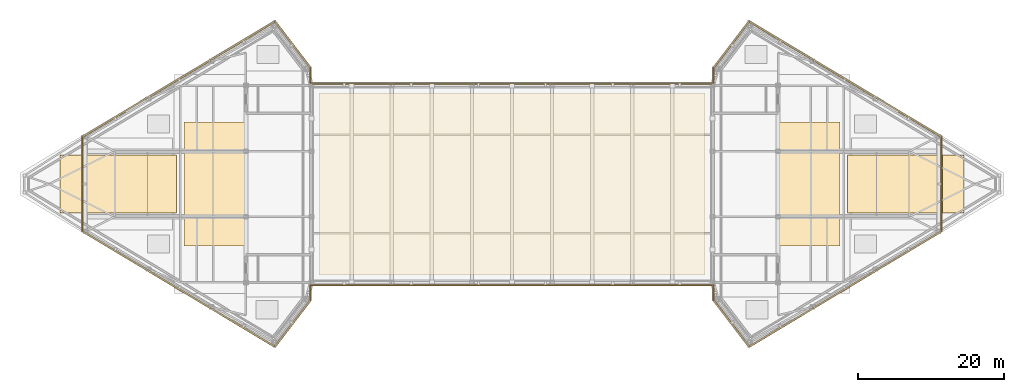
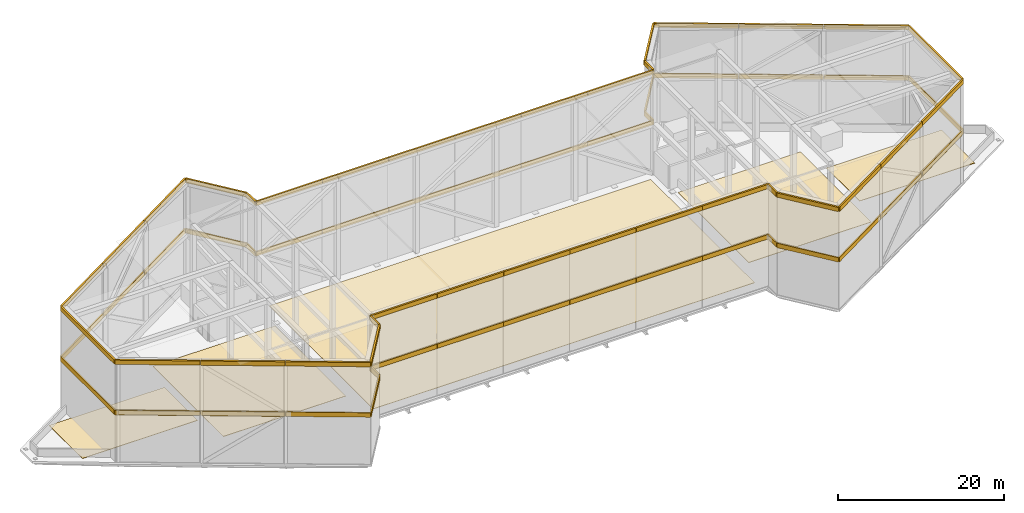
# One storey, part 15 of 16: 68 shading devices, 5 coverings.
"""IFC4 building model written with IfcOpenShell, lengths in metres."""

from ifc_helpers import new_model, si_unit, direction, frame, origin, origin_2d, place, context, subcontext, project, spatial, polyline, rectangle, outline, extrude, source, transform, mapped, material, layer, layer_set, type_object, type_shapes, element, save


model = new_model("IFC4")

# Units and contexts
model_context = context("Model", 3, precision=1e-05, world=origin(), true_north=direction((0.0, 1.0)))
body_context = subcontext(model_context, "Body", "Model", "MODEL_VIEW")
ifc_project = project(units=[si_unit("LENGTHUNIT", "METRE"), si_unit("AREAUNIT", "SQUARE_METRE"), si_unit("VOLUMEUNIT", "CUBIC_METRE"), si_unit("PLANEANGLEUNIT", "RADIAN"), si_unit("MASSUNIT", "GRAM", prefix="KILO")], contexts=[model_context])

# Site, building, storey
site_placement = place(None, origin())
site = spatial("IfcSite", under=ifc_project, at=site_placement, CompositionType="ELEMENT")
building_placement = place(site_placement, origin())
building = spatial("IfcBuilding", under=site, at=building_placement, Name="Seokmaru Belvedere", CompositionType="ELEMENT")
storey_placement = place(building_placement, frame((0.0, 0.0, 279.0)))
storey = spatial("IfcBuildingStorey", under=building, at=storey_placement, Name="RF", CompositionType="ELEMENT", Elevation=279.0)

# Coverings
ifc_material_1 = material(Name="Insulated Elastomeric Roof Membrane")
ifc_layer_1 = layer(ifc_material_1, 0.06005859375)
ifc_layer_set_1 = layer_set([ifc_layer_1], Name="Insulated Elastomeric Roof Membrane")
covering_type = type_object("IfcCoveringType", Name="Inverted Insulated Elastomeric Roof Membrane 60", PredefinedType="ROOFING", material=ifc_layer_set_1)
covering_1_placement = place(storey_placement, origin())
element("IfcCovering", 1, at=covering_1_placement, inside=storey, type_object=covering_type, Name="RF Inverted Roof Membrane Zone 1", PredefinedType="ROOFING", context=body_context, shape_type="SweptSolid", body=[
    extrude(outline(polyline([(-45.0, -8.5), (-28.0, -8.5), (-28.0, 8.5), (-45.0, 8.5), (-45.0, -8.5)])), origin(), (0.0, 0.0, 1.0), 0.06005859375),
])
covering_2_placement = place(storey_placement, origin())
element("IfcCovering", 2, at=covering_2_placement, inside=storey, type_object=covering_type, Name="RF Inverted Roof Membrane Zone 2", PredefinedType="ROOFING", context=body_context, shape_type="SweptSolid", body=[
    extrude(outline(polyline([(-26.5, -12.5), (26.5, -12.5), (26.5, 12.5), (-26.5, 12.5), (-26.5, -12.5)])), origin(), (0.0, 0.0, 1.0), 0.06005859375),
])
covering_3_placement = place(storey_placement, origin())
element("IfcCovering", 3, at=covering_3_placement, inside=storey, type_object=covering_type, Name="RF Inverted Roof Membrane Zone 3", PredefinedType="ROOFING", context=body_context, shape_type="SweptSolid", body=[
    extrude(outline(polyline([(28.0, -8.5), (45.0, -8.5), (45.0, 8.5), (28.0, 8.5), (28.0, -8.5)])), origin(), (0.0, 0.0, 1.0), 0.06005859375),
])
covering_4_placement = place(storey_placement, origin())
element("IfcCovering", 4, at=covering_4_placement, inside=storey, type_object=covering_type, Name="RF Inverted Roof Membrane Zone 4", PredefinedType="ROOFING", context=body_context, shape_type="SweptSolid", body=[
    extrude(outline(polyline([(-62.0, -4.0), (-46.0, -4.0), (-46.0, 4.0), (-62.0, 4.0), (-62.0, -4.0)])), origin(), (0.0, 0.0, 1.0), 0.06005859375),
])
covering_5_placement = place(storey_placement, origin())
element("IfcCovering", 5, at=covering_5_placement, inside=storey, type_object=covering_type, Name="RF Inverted Roof Membrane Zone 5", PredefinedType="ROOFING", context=body_context, shape_type="SweptSolid", body=[
    extrude(outline(polyline([(46.0, -4.0), (62.0, -4.0), (62.0, 4.0), (46.0, 4.0), (46.0, -4.0)])), origin(), (0.0, 0.0, 1.0), 0.06005859375),
])

# Shading devices
ifc_material_2 = material(Name="Anodised Bronze Aluminium", Category="aluminium")
ifc_layer_2 = layer(ifc_material_2, 0.199951171875)
ifc_layer_set_2 = layer_set([ifc_layer_2], Name="Anodised Bronze Aluminium")
shading_device_type = type_object("IfcShadingDeviceType", Name="Bronze Anodised Crown Louvre Screen Band", PredefinedType="USERDEFINED", material=ifc_layer_set_2)
shared_shape_1 = source(origin(), body_context, "Body", "SweptSolid", [
    extrude(rectangle(XDim=9.17333984375, YDim=0.199951171875, at=origin_2d()), origin(), (0.0, 0.0, 1.0), 0.64990234375),
])
for number, where, z_axis, x_axis, name in (
    (6, (-23.033203125, -13.820068359375, 6.9599609375), (0.0, 0.0, 1.0), (1.0, 0.0, 0.0), "RF Bronze Crown Acoustic Louvre Mid 01"),
    (7, (-13.820068359375, -13.820068359375, 6.9599609375), (0.0, 0.0, 1.0), (1.0, 0.0, 0.0), "RF Bronze Crown Acoustic Louvre Mid 02"),
    (8, (-4.606689453125, -13.820068359375, 6.9599609375), (0.0, 0.0, 1.0), (1.0, 0.0, 0.0), "RF Bronze Crown Acoustic Louvre Mid 03"),
    (9, (4.606689453125, -13.820068359375, 6.9599609375), (0.0, 0.0, 1.0), (1.0, 0.0, 0.0), "RF Bronze Crown Acoustic Louvre Mid 04"),
    (10, (13.820068359375, -13.820068359375, 6.9599609375), (0.0, 0.0, 1.0), (1.0, 0.0, 0.0), "RF Bronze Crown Acoustic Louvre Mid 05"),
    (11, (23.033203125, -13.820068359375, 6.9599609375), (0.0, 0.0, 1.0), (1.0, 0.0, 0.0), "RF Bronze Crown Acoustic Louvre Mid 06"),
    (12, (23.033203125, 13.820068359375, 6.9599609375), (0.0, 0.0, 1.0), (-1.0, 0.0, 0.0), "RF Bronze Crown Acoustic Louvre Mid 18"),
    (13, (13.820068359375, 13.820068359375, 6.9599609375), (0.0, 0.0, 1.0), (-1.0, 0.0, 0.0), "RF Bronze Crown Acoustic Louvre Mid 19"),
    (14, (4.606689453125, 13.820068359375, 6.9599609375), (0.0, 0.0, 1.0), (-1.0, 0.0, 0.0), "RF Bronze Crown Acoustic Louvre Mid 20"),
    (15, (-4.606689453125, 13.820068359375, 6.9599609375), (0.0, 0.0, 1.0), (-1.0, 0.0, 0.0), "RF Bronze Crown Acoustic Louvre Mid 21"),
    (16, (-13.820068359375, 13.820068359375, 6.9599609375), (0.0, 0.0, 1.0), (-1.0, 0.0, 0.0), "RF Bronze Crown Acoustic Louvre Mid 22"),
    (17, (-23.033203125, 13.820068359375, 6.9599609375), (0.0, 0.0, 1.0), (-1.0, 0.0, 0.0), "RF Bronze Crown Acoustic Louvre Mid 23"),
):
    element("IfcShadingDevice", number, at=place(storey_placement, frame(where, z_axis=z_axis, x_axis=x_axis)), inside=storey, type_object=shading_device_type, Name=name, ObjectType="LOUVRE", PredefinedType="USERDEFINED", context=body_context, shape_type="MappedRepresentation", body=[
        mapped(shared_shape_1, transform((0.0, 0.0, 0.0), scale=1.0)),
    ])
shared_shape_2 = source(origin(), body_context, "Body", "SweptSolid", [
    extrude(rectangle(XDim=9.17333984375, YDim=0.239990234375, at=origin_2d()), origin(), (0.0, 0.0, 1.0), 0.6201171875),
])
for number, where, z_axis, x_axis, name in (
    (18, (-23.033203125, -13.820068359375, 14.3798828125), (0.0, 0.0, 1.0), (1.0, 0.0, 0.0), "RF Bronze Crown Solid Top Cap Band 01"),
    (19, (-13.820068359375, -13.820068359375, 14.3798828125), (0.0, 0.0, 1.0), (1.0, 0.0, 0.0), "RF Bronze Crown Solid Top Cap Band 02"),
    (20, (-4.606689453125, -13.820068359375, 14.3798828125), (0.0, 0.0, 1.0), (1.0, 0.0, 0.0), "RF Bronze Crown Solid Top Cap Band 03"),
    (21, (4.606689453125, -13.820068359375, 14.3798828125), (0.0, 0.0, 1.0), (1.0, 0.0, 0.0), "RF Bronze Crown Solid Top Cap Band 04"),
    (22, (13.820068359375, -13.820068359375, 14.3798828125), (0.0, 0.0, 1.0), (1.0, 0.0, 0.0), "RF Bronze Crown Solid Top Cap Band 05"),
    (23, (23.033203125, -13.820068359375, 14.3798828125), (0.0, 0.0, 1.0), (1.0, 0.0, 0.0), "RF Bronze Crown Solid Top Cap Band 06"),
    (24, (23.033203125, 13.820068359375, 14.3798828125), (0.0, 0.0, 1.0), (-1.0, 0.0, 0.0), "RF Bronze Crown Solid Top Cap Band 18"),
    (25, (13.820068359375, 13.820068359375, 14.3798828125), (0.0, 0.0, 1.0), (-1.0, 0.0, 0.0), "RF Bronze Crown Solid Top Cap Band 19"),
    (26, (4.606689453125, 13.820068359375, 14.3798828125), (0.0, 0.0, 1.0), (-1.0, 0.0, 0.0), "RF Bronze Crown Solid Top Cap Band 20"),
    (27, (-4.606689453125, 13.820068359375, 14.3798828125), (0.0, 0.0, 1.0), (-1.0, 0.0, 0.0), "RF Bronze Crown Solid Top Cap Band 21"),
    (28, (-13.820068359375, 13.820068359375, 14.3798828125), (0.0, 0.0, 1.0), (-1.0, 0.0, 0.0), "RF Bronze Crown Solid Top Cap Band 22"),
    (29, (-23.033203125, 13.820068359375, 14.3798828125), (0.0, 0.0, 1.0), (-1.0, 0.0, 0.0), "RF Bronze Crown Solid Top Cap Band 23"),
):
    element("IfcShadingDevice", number, at=place(storey_placement, frame(where, z_axis=z_axis, x_axis=x_axis)), inside=storey, type_object=shading_device_type, Name=name, ObjectType="LOUVRE", PredefinedType="USERDEFINED", context=body_context, shape_type="MappedRepresentation", body=[
        mapped(shared_shape_2, transform((0.0, 0.0, 0.0), scale=1.0)),
    ])
shared_shape_3 = source(origin(), body_context, "Body", "SweptSolid", [
    extrude(rectangle(XDim=2.09228515625, YDim=0.199951171875, at=origin_2d()), origin(), (0.0, 0.0, 1.0), 0.64990234375),
])
for number, where, z_axis, x_axis, name in (
    (30, (27.639892578125, -14.88623046875, 6.9599609375), (0.0, 0.0, 1.0), (0.0, -1.0, 0.0), "RF Bronze Crown Acoustic Louvre Mid 07"),
    (31, (27.639892578125, 14.88623046875, 6.9599609375), (0.0, 0.0, 1.0), (0.0, -1.0, 0.0), "RF Bronze Crown Acoustic Louvre Mid 17"),
    (32, (-27.639892578125, 14.88623046875, 6.9599609375), (0.0, 0.0, 1.0), (0.0, 1.0, 0.0), "RF Bronze Crown Acoustic Louvre Mid 24"),
    (33, (-27.639892578125, -14.88623046875, 6.9599609375), (0.0, 0.0, 1.0), (0.0, 1.0, 0.0), "RF Bronze Crown Acoustic Louvre Mid 34"),
):
    element("IfcShadingDevice", number, at=place(storey_placement, frame(where, z_axis=z_axis, x_axis=x_axis)), inside=storey, type_object=shading_device_type, Name=name, ObjectType="LOUVRE", PredefinedType="USERDEFINED", context=body_context, shape_type="MappedRepresentation", body=[
        mapped(shared_shape_3, transform((0.0, 0.0, 0.0), scale=1.0)),
    ])
shared_shape_4 = source(origin(), body_context, "Body", "SweptSolid", [
    extrude(rectangle(XDim=2.09228515625, YDim=0.239990234375, at=origin_2d()), origin(), (0.0, 0.0, 1.0), 0.6201171875),
])
for number, where, z_axis, x_axis, name in (
    (34, (27.639892578125, -14.88623046875, 14.3798828125), (0.0, 0.0, 1.0), (0.0, -1.0, 0.0), "RF Bronze Crown Solid Top Cap Band 07"),
    (35, (27.639892578125, 14.88623046875, 14.3798828125), (0.0, 0.0, 1.0), (0.0, -1.0, 0.0), "RF Bronze Crown Solid Top Cap Band 17"),
    (36, (-27.639892578125, 14.88623046875, 14.3798828125), (0.0, 0.0, 1.0), (0.0, 1.0, 0.0), "RF Bronze Crown Solid Top Cap Band 24"),
    (37, (-27.639892578125, -14.88623046875, 14.3798828125), (0.0, 0.0, 1.0), (0.0, 1.0, 0.0), "RF Bronze Crown Solid Top Cap Band 34"),
):
    element("IfcShadingDevice", number, at=place(storey_placement, frame(where, z_axis=z_axis, x_axis=x_axis)), inside=storey, type_object=shading_device_type, Name=name, ObjectType="LOUVRE", PredefinedType="USERDEFINED", context=body_context, shape_type="MappedRepresentation", body=[
        mapped(shared_shape_4, transform((0.0, 0.0, 0.0), scale=1.0)),
    ])
shared_shape_5 = source(origin(), body_context, "Body", "SweptSolid", [
    extrude(rectangle(XDim=7.98828125, YDim=0.199951171875, at=origin_2d()), origin(), (0.0, 0.0, 1.0), 0.64990234375),
])
for number, where, z_axis, x_axis, name in (
    (38, (30.08740234375, -19.134033203125, 6.9599609375), (0.0, 0.0, 1.0), (0.609709487731, -0.792624968425, 0.0), "RF Bronze Crown Acoustic Louvre Mid 08"),
    (39, (30.08740234375, 19.134033203125, 6.9599609375), (0.0, 0.0, 1.0), (-0.609709487731, -0.792624968425, 0.0), "RF Bronze Crown Acoustic Louvre Mid 16"),
    (40, (-30.08740234375, 19.134033203125, 6.9599609375), (0.0, 0.0, 1.0), (-0.609709487731, 0.792624968425, 0.0), "RF Bronze Crown Acoustic Louvre Mid 25"),
    (41, (-30.08740234375, -19.134033203125, 6.9599609375), (0.0, 0.0, 1.0), (0.609709487731, 0.792624968425, 0.0), "RF Bronze Crown Acoustic Louvre Mid 33"),
):
    element("IfcShadingDevice", number, at=place(storey_placement, frame(where, z_axis=z_axis, x_axis=x_axis)), inside=storey, type_object=shading_device_type, Name=name, ObjectType="LOUVRE", PredefinedType="USERDEFINED", context=body_context, shape_type="MappedRepresentation", body=[
        mapped(shared_shape_5, transform((0.0, 0.0, 0.0), scale=1.0)),
    ])
shared_shape_6 = source(origin(), body_context, "Body", "SweptSolid", [
    extrude(rectangle(XDim=7.98828125, YDim=0.239990234375, at=origin_2d()), origin(), (0.0, 0.0, 1.0), 0.6201171875),
])
for number, where, z_axis, x_axis, name in (
    (42, (30.08740234375, -19.134033203125, 14.3798828125), (0.0, 0.0, 1.0), (0.609709487731, -0.792624968425, 0.0), "RF Bronze Crown Solid Top Cap Band 08"),
    (43, (30.08740234375, 19.134033203125, 14.3798828125), (0.0, 0.0, 1.0), (-0.609709487731, -0.792624968425, 0.0), "RF Bronze Crown Solid Top Cap Band 16"),
    (44, (-30.08740234375, 19.134033203125, 14.3798828125), (0.0, 0.0, 1.0), (-0.609709487731, 0.792624968425, 0.0), "RF Bronze Crown Solid Top Cap Band 25"),
    (45, (-30.08740234375, -19.134033203125, 14.3798828125), (0.0, 0.0, 1.0), (0.609709487731, 0.792624968425, 0.0), "RF Bronze Crown Solid Top Cap Band 33"),
):
    element("IfcShadingDevice", number, at=place(storey_placement, frame(where, z_axis=z_axis, x_axis=x_axis)), inside=storey, type_object=shading_device_type, Name=name, ObjectType="LOUVRE", PredefinedType="USERDEFINED", context=body_context, shape_type="MappedRepresentation", body=[
        mapped(shared_shape_6, transform((0.0, 0.0, 0.0), scale=1.0)),
    ])
shared_shape_7 = source(origin(), body_context, "Body", "SweptSolid", [
    extrude(rectangle(XDim=10.212890625, YDim=0.199951171875, at=origin_2d()), origin(), (0.0, 0.0, 1.0), 0.64990234375),
])
for number, where, z_axis, x_axis, name in (
    (46, (36.930908203125, -19.67822265625, 6.9599609375), (0.0, 0.0, 1.0), (0.857492535386, 0.514496405972, 0.0), "RF Bronze Crown Acoustic Louvre Mid 09"),
    (47, (45.722412109375, -14.4033203125, 6.9599609375), (0.0, 0.0, 1.0), (0.857492535386, 0.514496405972, 0.0), "RF Bronze Crown Acoustic Louvre Mid 10"),
    (48, (54.51416015625, -9.128173828125, 6.9599609375), (0.0, 0.0, 1.0), (0.857492535386, 0.514496405972, 0.0), "RF Bronze Crown Acoustic Louvre Mid 11"),
    (49, (54.51416015625, 9.128173828125, 6.9599609375), (0.0, 0.0, 1.0), (-0.857492535386, 0.514496405972, 0.0), "RF Bronze Crown Acoustic Louvre Mid 13"),
    (50, (45.722412109375, 14.4033203125, 6.9599609375), (0.0, 0.0, 1.0), (-0.857492535386, 0.514496405972, 0.0), "RF Bronze Crown Acoustic Louvre Mid 14"),
    (51, (36.930908203125, 19.67822265625, 6.9599609375), (0.0, 0.0, 1.0), (-0.857492535386, 0.514496405972, 0.0), "RF Bronze Crown Acoustic Louvre Mid 15"),
    (52, (-36.930908203125, 19.67822265625, 6.9599609375), (0.0, 0.0, 1.0), (-0.857492535386, -0.514496405972, 0.0), "RF Bronze Crown Acoustic Louvre Mid 26"),
    (53, (-45.722412109375, 14.4033203125, 6.9599609375), (0.0, 0.0, 1.0), (-0.857492535386, -0.514496405972, 0.0), "RF Bronze Crown Acoustic Louvre Mid 27"),
    (54, (-54.51416015625, 9.128173828125, 6.9599609375), (0.0, 0.0, 1.0), (-0.857492535386, -0.514496405972, 0.0), "RF Bronze Crown Acoustic Louvre Mid 28"),
    (55, (-54.51416015625, -9.128173828125, 6.9599609375), (0.0, 0.0, 1.0), (0.857492535386, -0.514496405972, 0.0), "RF Bronze Crown Acoustic Louvre Mid 30"),
    (56, (-45.722412109375, -14.4033203125, 6.9599609375), (0.0, 0.0, 1.0), (0.857492535386, -0.514496405972, 0.0), "RF Bronze Crown Acoustic Louvre Mid 31"),
    (57, (-36.930908203125, -19.67822265625, 6.9599609375), (0.0, 0.0, 1.0), (0.857492535386, -0.514496405972, 0.0), "RF Bronze Crown Acoustic Louvre Mid 32"),
):
    element("IfcShadingDevice", number, at=place(storey_placement, frame(where, z_axis=z_axis, x_axis=x_axis)), inside=storey, type_object=shading_device_type, Name=name, ObjectType="LOUVRE", PredefinedType="USERDEFINED", context=body_context, shape_type="MappedRepresentation", body=[
        mapped(shared_shape_7, transform((0.0, 0.0, 0.0), scale=1.0)),
    ])
shared_shape_8 = source(origin(), body_context, "Body", "SweptSolid", [
    extrude(rectangle(XDim=10.212890625, YDim=0.239990234375, at=origin_2d()), origin(), (0.0, 0.0, 1.0), 0.6201171875),
])
for number, where, z_axis, x_axis, name in (
    (58, (36.930908203125, -19.67822265625, 14.3798828125), (0.0, 0.0, 1.0), (0.857492535386, 0.514496405972, 0.0), "RF Bronze Crown Solid Top Cap Band 09"),
    (59, (45.722412109375, -14.4033203125, 14.3798828125), (0.0, 0.0, 1.0), (0.857492535386, 0.514496405972, 0.0), "RF Bronze Crown Solid Top Cap Band 10"),
    (60, (54.51416015625, -9.128173828125, 14.3798828125), (0.0, 0.0, 1.0), (0.857492535386, 0.514496405972, 0.0), "RF Bronze Crown Solid Top Cap Band 11"),
    (61, (54.51416015625, 9.128173828125, 14.3798828125), (0.0, 0.0, 1.0), (-0.857492535386, 0.514496405972, 0.0), "RF Bronze Crown Solid Top Cap Band 13"),
    (62, (45.722412109375, 14.4033203125, 14.3798828125), (0.0, 0.0, 1.0), (-0.857492535386, 0.514496405972, 0.0), "RF Bronze Crown Solid Top Cap Band 14"),
    (63, (36.930908203125, 19.67822265625, 14.3798828125), (0.0, 0.0, 1.0), (-0.857492535386, 0.514496405972, 0.0), "RF Bronze Crown Solid Top Cap Band 15"),
    (64, (-36.930908203125, 19.67822265625, 14.3798828125), (0.0, 0.0, 1.0), (-0.857492535386, -0.514496405972, 0.0), "RF Bronze Crown Solid Top Cap Band 26"),
    (65, (-45.722412109375, 14.4033203125, 14.3798828125), (0.0, 0.0, 1.0), (-0.857492535386, -0.514496405972, 0.0), "RF Bronze Crown Solid Top Cap Band 27"),
    (66, (-54.51416015625, 9.128173828125, 14.3798828125), (0.0, 0.0, 1.0), (-0.857492535386, -0.514496405972, 0.0), "RF Bronze Crown Solid Top Cap Band 28"),
    (67, (-54.51416015625, -9.128173828125, 14.3798828125), (0.0, 0.0, 1.0), (0.857492535386, -0.514496405972, 0.0), "RF Bronze Crown Solid Top Cap Band 30"),
    (68, (-45.722412109375, -14.4033203125, 14.3798828125), (0.0, 0.0, 1.0), (0.857492535386, -0.514496405972, 0.0), "RF Bronze Crown Solid Top Cap Band 31"),
    (69, (-36.930908203125, -19.67822265625, 14.3798828125), (0.0, 0.0, 1.0), (0.857492535386, -0.514496405972, 0.0), "RF Bronze Crown Solid Top Cap Band 32"),
):
    element("IfcShadingDevice", number, at=place(storey_placement, frame(where, z_axis=z_axis, x_axis=x_axis)), inside=storey, type_object=shading_device_type, Name=name, ObjectType="LOUVRE", PredefinedType="USERDEFINED", context=body_context, shape_type="MappedRepresentation", body=[
        mapped(shared_shape_8, transform((0.0, 0.0, 0.0), scale=1.0)),
    ])
shared_shape_9 = source(origin(), body_context, "Body", "SweptSolid", [
    extrude(rectangle(XDim=12.94140625, YDim=0.199951171875, at=origin_2d()), origin(), (0.0, 0.0, 1.0), 0.64990234375),
])
for number, where, z_axis, x_axis, name in (
    (70, (58.909912109375, 0.0, 6.9599609375), (0.0, 0.0, 1.0), (0.0, 1.0, 0.0), "RF Bronze Crown Acoustic Louvre Mid 12"),
    (71, (-58.909912109375, 0.0, 6.9599609375), (0.0, 0.0, 1.0), (0.0, -1.0, 0.0), "RF Bronze Crown Acoustic Louvre Mid 29"),
):
    element("IfcShadingDevice", number, at=place(storey_placement, frame(where, z_axis=z_axis, x_axis=x_axis)), inside=storey, type_object=shading_device_type, Name=name, ObjectType="LOUVRE", PredefinedType="USERDEFINED", context=body_context, shape_type="MappedRepresentation", body=[
        mapped(shared_shape_9, transform((0.0, 0.0, 0.0), scale=1.0)),
    ])
shared_shape_10 = source(origin(), body_context, "Body", "SweptSolid", [
    extrude(rectangle(XDim=12.94140625, YDim=0.239990234375, at=origin_2d()), origin(), (0.0, 0.0, 1.0), 0.6201171875),
])
type_shapes(shading_device_type, [shared_shape_1, shared_shape_2, shared_shape_3, shared_shape_4, shared_shape_5, shared_shape_6, shared_shape_7, shared_shape_8, shared_shape_9, shared_shape_10])
for number, where, z_axis, x_axis, name in (
    (72, (58.909912109375, 0.0, 14.3798828125), (0.0, 0.0, 1.0), (0.0, 1.0, 0.0), "RF Bronze Crown Solid Top Cap Band 12"),
    (73, (-58.909912109375, 0.0, 14.3798828125), (0.0, 0.0, 1.0), (0.0, -1.0, 0.0), "RF Bronze Crown Solid Top Cap Band 29"),
):
    element("IfcShadingDevice", number, at=place(storey_placement, frame(where, z_axis=z_axis, x_axis=x_axis)), inside=storey, type_object=shading_device_type, Name=name, ObjectType="LOUVRE", PredefinedType="USERDEFINED", context=body_context, shape_type="MappedRepresentation", body=[
        mapped(shared_shape_10, transform((0.0, 0.0, 0.0), scale=1.0)),
    ])

save(model, "model.ifc")
